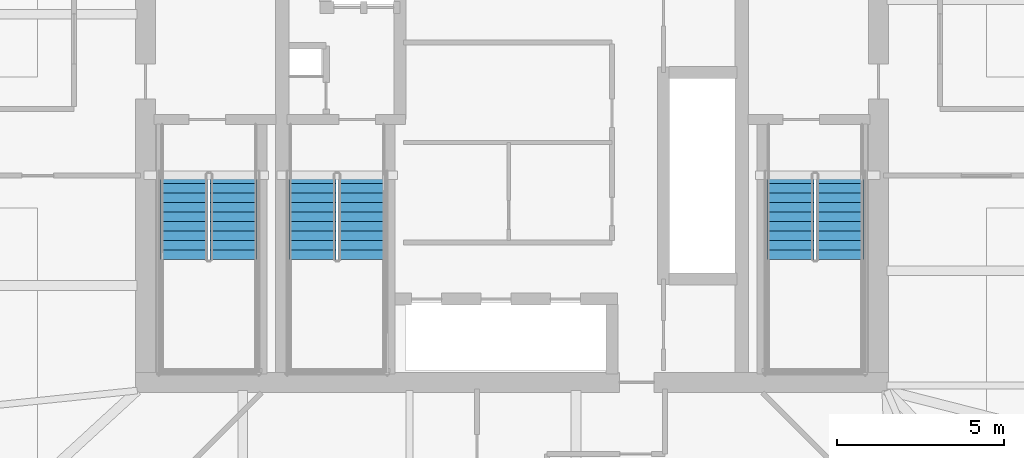
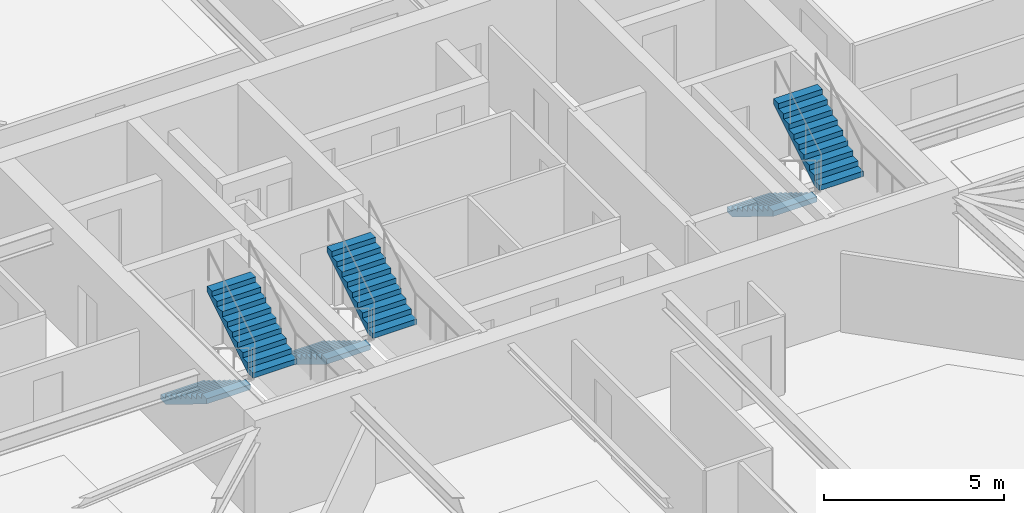
# One storey, part 16 of 21: 6 stair flights, 3 elements without a shape of their own.
"""IFC4 building model written with IfcOpenShell, lengths in metres."""

from ifc_helpers import new_model, si_unit, direction, frame, origin, place, context, subcontext, project, spatial, polyline, outline, extrude, material, type_object, element, aggregate, save


model = new_model("IFC4")

# Units and contexts
model_context = context("Model", 3, precision=1e-05, world=origin(), true_north=direction((0.0, 1.0)))
body_context = subcontext(model_context, "Body", "Model", "MODEL_VIEW")
ifc_project = project(units=[si_unit("LENGTHUNIT", "METRE"), si_unit("AREAUNIT", "SQUARE_METRE"), si_unit("VOLUMEUNIT", "CUBIC_METRE"), si_unit("PLANEANGLEUNIT", "RADIAN"), si_unit("MASSUNIT", "GRAM", prefix="KILO")], contexts=[model_context])

# Site, building, storey
site_placement = place(None, origin())
site = spatial("IfcSite", under=ifc_project, at=site_placement, CompositionType="ELEMENT")
building_placement = place(site_placement, origin())
building = spatial("IfcBuilding", under=site, at=building_placement, Name="Bramvorn Convention Spire", CompositionType="ELEMENT")
storey_placement = place(building_placement, frame((0.0, 0.0, 102.800048828125)))
storey = spatial("IfcBuildingStorey", under=building, at=storey_placement, Name="L24", CompositionType="ELEMENT", Elevation=102.800048828125)

# Stair, stair flights
ifc_material_1 = material(Name="Concrete C40/50 Precast Stair", Category="concrete")
stair_type = type_object("IfcStairType", Name="ST-TOWER-1550", PredefinedType="HALF_TURN_STAIR", material=ifc_material_1)
stair_1_placement = place(storey_placement, origin())
stair_1 = element("IfcStair", 1, at=stair_1_placement, inside=storey, type_object=stair_type, Name="L24 Protected Exit Stair ST1", PredefinedType="HALF_TURN_STAIR")
ifc_material_2 = material(Name="Concrete C40/50 Precast Stair Flight", Category="concrete")
stair_flight_type = type_object("IfcStairFlightType", Name="STF-TOWER-1550", PredefinedType="STRAIGHT", material=ifc_material_2)
stair_flight_1_placement = place(storey_placement, frame((28.155029296875, 25.050048828125, 0.0), z_axis=(0.0, 0.0, 1.0), x_axis=(0.0, -1.0, 0.0)))
stair_flight_1 = element("IfcStairFlight", 2, at=stair_flight_1_placement, type_object=stair_flight_type, Name="ST1 flight 1", NumberOfRisers=10, NumberOfTreads=9, PredefinedType="STRAIGHT", RiserHeight=0.175, TreadLength=0.285, context=body_context, shape_type="SweptSolid", body=[
    extrude(outline(polyline([(0.0, 0.0), (0.0, 0.175048828125), (0.284912109375, 0.175048828125), (0.284912109375, 0.35009765625), (0.570068359375, 0.35009765625), (0.570068359375, 0.52490234375), (0.85498046875, 0.52490234375), (0.85498046875, 0.699951171875), (1.139892578125, 0.699951171875), (1.139892578125, 0.875), (1.425048828125, 0.875), (1.425048828125, 1.050048828125), (1.7099609375, 1.050048828125), (1.7099609375, 1.22509765625), (1.9951171875, 1.22509765625), (1.9951171875, 1.39990234375), (2.280029296875, 1.39990234375), (2.280029296875, 1.574951171875), (2.56494140625, 1.574951171875), (2.56494140625, 1.75), (2.56494140625, 1.399169921875), (0.286376953125, 0.0), (0.0, 0.0)])), frame((0.0, 0.705078125, 0.0), z_axis=(0.0, -1.0, 0.0), x_axis=(1.0, 0.0, 0.0)), (0.0, 0.0, 1.0), 1.409912109375),
])
stair_flight_2_placement = place(storey_placement, frame((29.64501953125, 22.485107421875, 1.75), z_axis=(0.0, 0.0, 1.0), x_axis=(0.0, 1.0, 0.0)))
stair_flight_2 = element("IfcStairFlight", 3, at=stair_flight_2_placement, type_object=stair_flight_type, Name="ST1 flight 2", NumberOfRisers=10, NumberOfTreads=9, PredefinedType="STRAIGHT", RiserHeight=0.175, TreadLength=0.285, context=body_context, shape_type="SweptSolid", body=[
    extrude(outline(polyline([(0.0, 0.0), (0.0, 0.175048828125), (0.284912109375, 0.175048828125), (0.284912109375, 0.35009765625), (0.570068359375, 0.35009765625), (0.570068359375, 0.52490234375), (0.85498046875, 0.52490234375), (0.85498046875, 0.699951171875), (1.139892578125, 0.699951171875), (1.139892578125, 0.875), (1.425048828125, 0.875), (1.425048828125, 1.050048828125), (1.7099609375, 1.050048828125), (1.7099609375, 1.22509765625), (1.9951171875, 1.22509765625), (1.9951171875, 1.39990234375), (2.280029296875, 1.39990234375), (2.280029296875, 1.574951171875), (2.56494140625, 1.574951171875), (2.56494140625, 1.75), (2.56494140625, 1.399169921875), (0.286376953125, 0.0), (0.0, 0.0)])), frame((0.0, 0.705078125, 0.0), z_axis=(0.0, -1.0, 0.0), x_axis=(1.0, 0.0, 0.0)), (0.0, 0.0, 1.0), 1.409912109375),
])
aggregate(stair_1, [stair_flight_1, stair_flight_2])

stair_2_placement = place(storey_placement, origin())
stair_2 = element("IfcStair", 4, at=stair_2_placement, inside=storey, type_object=stair_type, Name="L24 Protected Exit Stair ST2", PredefinedType="HALF_TURN_STAIR")
stair_flight_3_placement = place(storey_placement, frame((46.35498046875, 25.050048828125, 0.0), z_axis=(0.0, 0.0, 1.0), x_axis=(0.0, -1.0, 0.0)))
stair_flight_3 = element("IfcStairFlight", 5, at=stair_flight_3_placement, type_object=stair_flight_type, Name="ST2 flight 1", NumberOfRisers=10, NumberOfTreads=9, PredefinedType="STRAIGHT", RiserHeight=0.175, TreadLength=0.285, context=body_context, shape_type="SweptSolid", body=[
    extrude(outline(polyline([(0.0, 0.0), (0.0, 0.175048828125), (0.284912109375, 0.175048828125), (0.284912109375, 0.35009765625), (0.570068359375, 0.35009765625), (0.570068359375, 0.52490234375), (0.85498046875, 0.52490234375), (0.85498046875, 0.699951171875), (1.139892578125, 0.699951171875), (1.139892578125, 0.875), (1.425048828125, 0.875), (1.425048828125, 1.050048828125), (1.7099609375, 1.050048828125), (1.7099609375, 1.22509765625), (1.9951171875, 1.22509765625), (1.9951171875, 1.39990234375), (2.280029296875, 1.39990234375), (2.280029296875, 1.574951171875), (2.56494140625, 1.574951171875), (2.56494140625, 1.75), (2.56494140625, 1.399169921875), (0.286376953125, 0.0), (0.0, 0.0)])), frame((0.0, 0.705078125, 0.0), z_axis=(0.0, -1.0, 0.0), x_axis=(1.0, 0.0, 0.0)), (0.0, 0.0, 1.0), 1.409912109375),
])
stair_flight_4_placement = place(storey_placement, frame((47.844970703125, 22.485107421875, 1.75), z_axis=(0.0, 0.0, 1.0), x_axis=(0.0, 1.0, 0.0)))
stair_flight_4 = element("IfcStairFlight", 6, at=stair_flight_4_placement, type_object=stair_flight_type, Name="ST2 flight 2", NumberOfRisers=10, NumberOfTreads=9, PredefinedType="STRAIGHT", RiserHeight=0.175, TreadLength=0.285, context=body_context, shape_type="SweptSolid", body=[
    extrude(outline(polyline([(0.0, 0.0), (0.0, 0.175048828125), (0.284912109375, 0.175048828125), (0.284912109375, 0.35009765625), (0.570068359375, 0.35009765625), (0.570068359375, 0.52490234375), (0.85498046875, 0.52490234375), (0.85498046875, 0.699951171875), (1.139892578125, 0.699951171875), (1.139892578125, 0.875), (1.425048828125, 0.875), (1.425048828125, 1.050048828125), (1.7099609375, 1.050048828125), (1.7099609375, 1.22509765625), (1.9951171875, 1.22509765625), (1.9951171875, 1.39990234375), (2.280029296875, 1.39990234375), (2.280029296875, 1.574951171875), (2.56494140625, 1.574951171875), (2.56494140625, 1.75), (2.56494140625, 1.399169921875), (0.286376953125, 0.0), (0.0, 0.0)])), frame((0.0, 0.705078125, 0.0), z_axis=(0.0, -1.0, 0.0), x_axis=(1.0, 0.0, 0.0)), (0.0, 0.0, 1.0), 1.409912109375),
])
aggregate(stair_2, [stair_flight_3, stair_flight_4])

stair_3_placement = place(storey_placement, origin())
stair_3 = element("IfcStair", 7, at=stair_3_placement, inside=storey, type_object=stair_type, Name="L24 Protected Exit Stair ST3", PredefinedType="HALF_TURN_STAIR")
stair_flight_5_placement = place(storey_placement, frame((32.0048828125, 25.050048828125, 0.0), z_axis=(0.0, 0.0, 1.0), x_axis=(0.0, -1.0, 0.0)))
stair_flight_5 = element("IfcStairFlight", 8, at=stair_flight_5_placement, type_object=stair_flight_type, Name="ST3 flight 1", NumberOfRisers=10, NumberOfTreads=9, PredefinedType="STRAIGHT", RiserHeight=0.175, TreadLength=0.285, context=body_context, shape_type="SweptSolid", body=[
    extrude(outline(polyline([(0.0, 0.0), (0.0, 0.175048828125), (0.284912109375, 0.175048828125), (0.284912109375, 0.35009765625), (0.570068359375, 0.35009765625), (0.570068359375, 0.52490234375), (0.85498046875, 0.52490234375), (0.85498046875, 0.699951171875), (1.139892578125, 0.699951171875), (1.139892578125, 0.875), (1.425048828125, 0.875), (1.425048828125, 1.050048828125), (1.7099609375, 1.050048828125), (1.7099609375, 1.22509765625), (1.9951171875, 1.22509765625), (1.9951171875, 1.39990234375), (2.280029296875, 1.39990234375), (2.280029296875, 1.574951171875), (2.56494140625, 1.574951171875), (2.56494140625, 1.75), (2.56494140625, 1.399169921875), (0.286376953125, 0.0), (0.0, 0.0)])), frame((0.0, 0.705078125, 0.0), z_axis=(0.0, -1.0, 0.0), x_axis=(1.0, 0.0, 0.0)), (0.0, 0.0, 1.0), 1.409912109375),
])
stair_flight_6_placement = place(storey_placement, frame((33.4951171875, 22.485107421875, 1.75), z_axis=(0.0, 0.0, 1.0), x_axis=(0.0, 1.0, 0.0)))
stair_flight_6 = element("IfcStairFlight", 9, at=stair_flight_6_placement, type_object=stair_flight_type, Name="ST3 flight 2", NumberOfRisers=10, NumberOfTreads=9, PredefinedType="STRAIGHT", RiserHeight=0.175, TreadLength=0.285, context=body_context, shape_type="SweptSolid", body=[
    extrude(outline(polyline([(0.0, 0.0), (0.0, 0.175048828125), (0.284912109375, 0.175048828125), (0.284912109375, 0.35009765625), (0.570068359375, 0.35009765625), (0.570068359375, 0.52490234375), (0.85498046875, 0.52490234375), (0.85498046875, 0.699951171875), (1.139892578125, 0.699951171875), (1.139892578125, 0.875), (1.425048828125, 0.875), (1.425048828125, 1.050048828125), (1.7099609375, 1.050048828125), (1.7099609375, 1.22509765625), (1.9951171875, 1.22509765625), (1.9951171875, 1.39990234375), (2.280029296875, 1.39990234375), (2.280029296875, 1.574951171875), (2.56494140625, 1.574951171875), (2.56494140625, 1.75), (2.56494140625, 1.399169921875), (0.286376953125, 0.0), (0.0, 0.0)])), frame((0.0, 0.705078125, 0.0), z_axis=(0.0, -1.0, 0.0), x_axis=(1.0, 0.0, 0.0)), (0.0, 0.0, 1.0), 1.409912109375),
])
aggregate(stair_3, [stair_flight_5, stair_flight_6])

save(model, "model.ifc")
